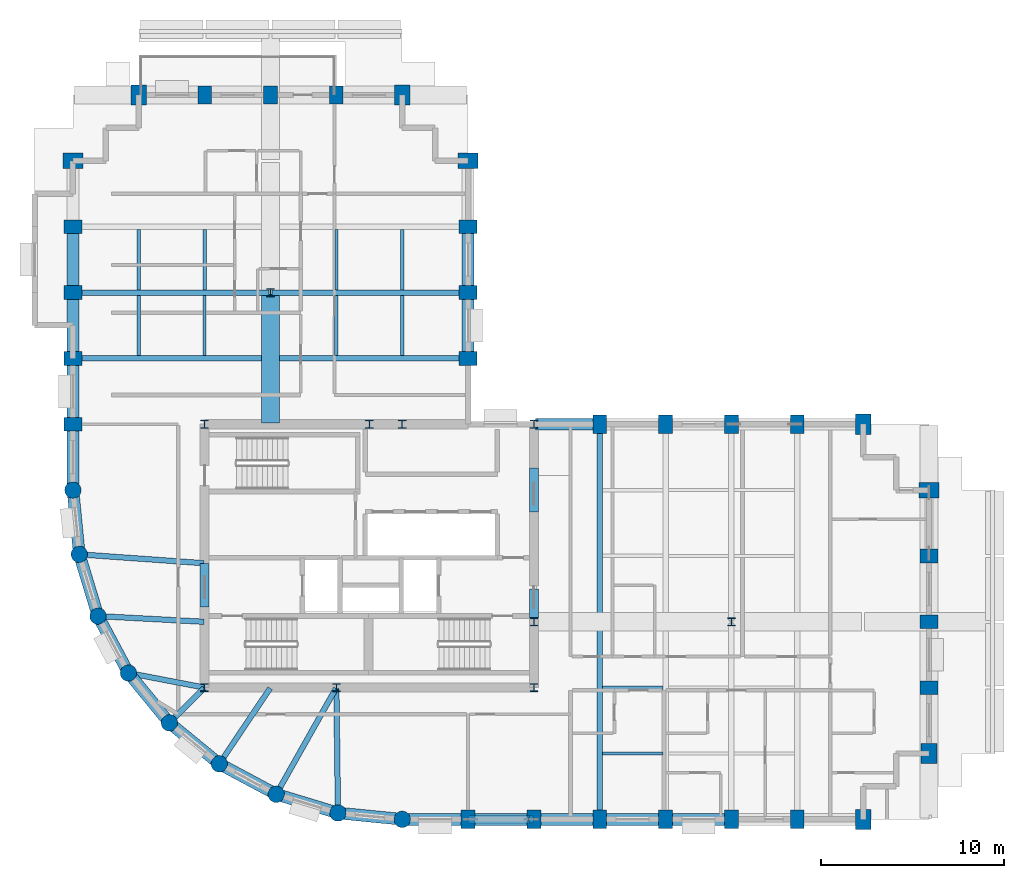
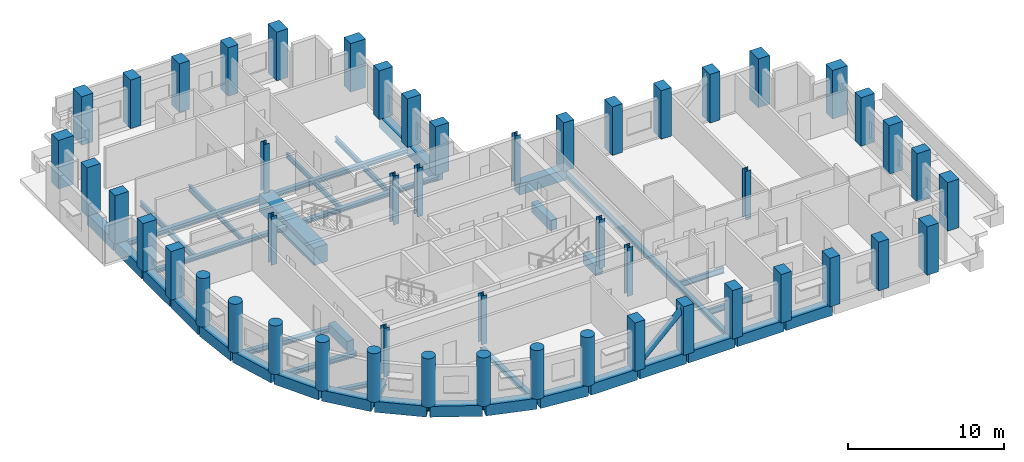
# One storey, part 1 of 10: 50 columns, 45 beams, 1 member.
"""IFC4 building model written with IfcOpenShell, lengths in metres."""

from ifc_helpers import new_model, si_unit, direction, frame, origin, origin_2d, place, context, subcontext, project, spatial, rectangle, circle, hollow_circle, i_section, extrude, material, material_profile, profile_set, type_object, element, save


model = new_model("IFC4")

# Units and contexts
model_context = context("Model", 3, precision=1e-05, world=origin(), true_north=direction((0.0, 1.0)))
body_context = subcontext(model_context, "Body", "Model", "MODEL_VIEW")
ifc_project = project(units=[si_unit("LENGTHUNIT", "METRE"), si_unit("AREAUNIT", "SQUARE_METRE"), si_unit("VOLUMEUNIT", "CUBIC_METRE"), si_unit("PLANEANGLEUNIT", "RADIAN"), si_unit("MASSUNIT", "GRAM", prefix="KILO")], contexts=[model_context])

# Site, building, storey
site_placement = place(None, origin())
site = spatial("IfcSite", under=ifc_project, at=site_placement, CompositionType="ELEMENT")
building_placement = place(site_placement, origin())
building = spatial("IfcBuilding", under=site, at=building_placement, Name="Solnavia Interchange Tower", CompositionType="ELEMENT")
storey_placement = place(building_placement, frame((0.0, 0.0, 127.60009765625)))
storey = spatial("IfcBuildingStorey", under=building, at=storey_placement, Name="L31", CompositionType="ELEMENT", Elevation=127.60009765625)

# Columns
ifc_material_1 = material(Name="Concrete C50/60", Category="concrete")
ifc_material_profile_1 = material_profile(ifc_material_1, rectangle(XDim=0.75, YDim=1.0, at=origin_2d()), Name="RC 1000x750")
ifc_profile_set_1 = profile_set([ifc_material_profile_1], Name="Concrete C50/60")
column_type_1 = type_object("IfcColumnType", Name="Col-RC-1000x750", PredefinedType="COLUMN", material=ifc_profile_set_1)
for number, where, z_axis, x_axis, name in (
    (1, (7.199951171875, 25.199951171875, 0.0), (0.0, 0.0, 1.0), (0.0, 1.0, 0.0), "COL-L31-02 Tower perim y column"),
    (2, (7.199951171875, 28.800048828125, 0.0), (0.0, 0.0, 1.0), (0.0, 1.0, 0.0), "COL-L31-03 Tower perim y column"),
    (3, (7.199951171875, 32.39990234375, 0.0), (0.0, 0.0, 1.0), (0.0, 1.0, 0.0), "COL-L31-04 Tower perim y column"),
    (4, (7.199951171875, 36.0, 0.0), (0.0, 0.0, 1.0), (0.0, 1.0, 0.0), "COL-L31-05 Tower perim y column"),
    (5, (14.39990234375, 43.199951171875, 0.0), (0.0, 0.0, 1.0), (1.0, 0.0, 0.0), "COL-L31-14 Tower perim x column"),
    (6, (18.0, 43.199951171875, 0.0), (0.0, 0.0, 1.0), (1.0, 0.0, 0.0), "COL-L31-17 Tower perim x column"),
    (7, (21.60009765625, 43.199951171875, 0.0), (0.0, 0.0, 1.0), (1.0, 0.0, 0.0), "COL-L31-20 Tower perim x column"),
    (8, (28.800048828125, 3.60009765625, 0.0), (0.0, 0.0, 1.0), (1.0, 0.0, 0.0), "COL-L31-26 Tower perim x column"),
    (9, (28.800048828125, 28.800048828125, 0.0), (0.0, 0.0, 1.0), (0.0, 1.0, 0.0), "COL-L31-27 Tower perim y column"),
    (10, (28.800048828125, 32.39990234375, 0.0), (0.0, 0.0, 1.0), (0.0, 1.0, 0.0), "COL-L31-28 Tower perim y column"),
    (11, (28.800048828125, 36.0, 0.0), (0.0, 0.0, 1.0), (0.0, 1.0, 0.0), "COL-L31-29 Tower perim y column"),
    (12, (32.39990234375, 3.60009765625, 0.0), (0.0, 0.0, 1.0), (1.0, 0.0, 0.0), "COL-L31-31 Tower perim x column"),
    (13, (36.0, 3.60009765625, 0.0), (0.0, 0.0, 1.0), (1.0, 0.0, 0.0), "COL-L31-35 Tower perim x column"),
    (14, (36.0, 25.199951171875, 0.0), (0.0, 0.0, 1.0), (1.0, 0.0, 0.0), "COL-L31-36 Tower perim x column"),
    (15, (39.60009765625, 3.60009765625, 0.0), (0.0, 0.0, 1.0), (1.0, 0.0, 0.0), "COL-L31-37 Tower perim x column"),
    (16, (39.60009765625, 25.199951171875, 0.0), (0.0, 0.0, 1.0), (1.0, 0.0, 0.0), "COL-L31-38 Tower perim x column"),
    (17, (43.199951171875, 3.60009765625, 0.0), (0.0, 0.0, 1.0), (1.0, 0.0, 0.0), "COL-L31-39 Tower perim x column"),
    (18, (43.199951171875, 25.199951171875, 0.0), (0.0, 0.0, 1.0), (1.0, 0.0, 0.0), "COL-L31-41 Tower perim x column"),
    (19, (46.800048828125, 3.60009765625, 0.0), (0.0, 0.0, 1.0), (1.0, 0.0, 0.0), "COL-L31-42 Tower perim x column"),
    (20, (46.800048828125, 25.199951171875, 0.0), (0.0, 0.0, 1.0), (1.0, 0.0, 0.0), "COL-L31-43 Tower perim x column"),
    (21, (54.0, 10.800048828125, 0.0), (0.0, 0.0, 1.0), (0.0, 1.0, 0.0), "COL-L31-47 Tower perim y column"),
    (22, (54.0, 14.39990234375, 0.0), (0.0, 0.0, 1.0), (0.0, 1.0, 0.0), "COL-L31-48 Tower perim y column"),
    (23, (54.0, 18.0, 0.0), (0.0, 0.0, 1.0), (0.0, 1.0, 0.0), "COL-L31-49 Tower perim y column"),
):
    element("IfcColumn", number, at=place(storey_placement, frame(where, z_axis=z_axis, x_axis=x_axis)), inside=storey, type_object=column_type_1, Name=name, PredefinedType="COLUMN", context=body_context, shape_type="SweptSolid", body=[
        extrude(rectangle(XDim=0.75, YDim=1.0, at=origin_2d()), origin(), (0.0, 0.0, 1.0), 3.7998046875),
    ])
ifc_material_profile_2 = material_profile(ifc_material_1, rectangle(XDim=0.85009765625, YDim=1.10009765625, at=origin_2d()), Name="RC 1100x850")
ifc_profile_set_2 = profile_set([ifc_material_profile_2], Name="Concrete C50/60")
column_type_2 = type_object("IfcColumnType", Name="Col-RC-1100x850", PredefinedType="COLUMN", material=ifc_profile_set_2)
for number, where, z_axis, x_axis, name in (
    (24, (7.199951171875, 39.60009765625, 0.0), (0.0, 0.0, 1.0), (0.0, 1.0, 0.0), "COL-L31-06 Tower corner column"),
    (25, (10.800048828125, 43.199951171875, 0.0), (0.0, 0.0, 1.0), (1.0, 0.0, 0.0), "COL-L31-10 Tower corner column"),
    (26, (25.199951171875, 43.199951171875, 0.0), (0.0, 0.0, 1.0), (1.0, 0.0, 0.0), "COL-L31-25 Tower corner column"),
    (27, (28.800048828125, 39.60009765625, 0.0), (0.0, 0.0, 1.0), (0.0, 1.0, 0.0), "COL-L31-30 Tower corner column"),
    (28, (50.39990234375, 3.60009765625, 0.0), (0.0, 0.0, 1.0), (1.0, 0.0, 0.0), "COL-L31-44 Tower corner column"),
    (29, (50.39990234375, 25.199951171875, 0.0), (0.0, 0.0, 1.0), (1.0, 0.0, 0.0), "COL-L31-45 Tower corner column"),
    (30, (54.0, 7.199951171875, 0.0), (0.0, 0.0, 1.0), (1.0, 0.0, 0.0), "COL-L31-46 Tower corner column"),
    (31, (54.0, 21.60009765625, 0.0), (0.0, 0.0, 1.0), (0.0, 1.0, 0.0), "COL-L31-50 Tower corner column"),
):
    element("IfcColumn", number, at=place(storey_placement, frame(where, z_axis=z_axis, x_axis=x_axis)), inside=storey, type_object=column_type_2, Name=name, PredefinedType="COLUMN", context=body_context, shape_type="SweptSolid", body=[
        extrude(rectangle(XDim=0.85009765625, YDim=1.10009765625, at=origin_2d()), origin(), (0.0, 0.0, 1.0), 3.7998046875),
    ])
ifc_material_profile_3 = material_profile(ifc_material_1, circle(Radius=0.449951171875, at=origin_2d()), Name="RC D900")
ifc_profile_set_3 = profile_set([ifc_material_profile_3], Name="Concrete C50/60")
column_type_3 = type_object("IfcColumnType", Name="Col-RC-D900", PredefinedType="COLUMN", material=ifc_profile_set_3)
for number, where, z_axis, x_axis, name in (
    (32, (7.199951171875, 21.60009765625, 0.0), (0.0, 0.0, 1.0), (1.0, 0.0, 0.0), "COL-L31-01 Tower drum column"),
    (33, (7.5458984375, 18.087890625, 0.0), (0.0, 0.0, 1.0), (1.0, 0.0, 0.0), "COL-L31-07 Tower drum column"),
    (34, (8.570068359375, 14.7119140625, 0.0), (0.0, 0.0, 1.0), (1.0, 0.0, 0.0), "COL-L31-08 Tower drum column"),
    (35, (10.23388671875, 11.60009765625, 0.0), (0.0, 0.0, 1.0), (1.0, 0.0, 0.0), "COL-L31-09 Tower drum column"),
    (36, (12.471923828125, 8.8720703125, 0.0), (0.0, 0.0, 1.0), (1.0, 0.0, 0.0), "COL-L31-11 Tower drum column"),
    (37, (15.199951171875, 6.634033203125, 0.0), (0.0, 0.0, 1.0), (1.0, 0.0, 0.0), "COL-L31-15 Tower drum column"),
    (38, (18.31201171875, 4.969970703125, 0.0), (0.0, 0.0, 1.0), (1.0, 0.0, 0.0), "COL-L31-18 Tower drum column"),
    (39, (21.68798828125, 3.946044921875, 0.0), (0.0, 0.0, 1.0), (1.0, 0.0, 0.0), "COL-L31-21 Tower drum column"),
    (40, (25.199951171875, 3.60009765625, 0.0), (0.0, 0.0, 1.0), (1.0, 0.0, 0.0), "COL-L31-23 Tower drum column"),
):
    element("IfcColumn", number, at=place(storey_placement, frame(where, z_axis=z_axis, x_axis=x_axis)), inside=storey, type_object=column_type_3, Name=name, PredefinedType="COLUMN", context=body_context, shape_type="SweptSolid", body=[
        extrude(circle(Radius=0.449951171875, at=origin_2d()), origin(), (0.0, 0.0, 1.0), 3.7998046875),
    ])
ifc_material_2 = material(Name="Steel S355", Category="steel")
ifc_material_profile_4 = material_profile(ifc_material_2, i_section(OverallWidth=0.416015625, OverallDepth=0.44189453125, WebThickness=0.02490234375, FlangeThickness=0.041015625, FilletRadius=0.014892578125, at=origin_2d()), Name="HD 400x382")
ifc_profile_set_4 = profile_set([ifc_material_profile_4], Name="Steel S355")
column_type_4 = type_object("IfcColumnType", Name="Col-Steel-HD400x382", PredefinedType="COLUMN", material=ifc_profile_set_4)
for number, where, z_axis, x_axis, name in (
    (41, (14.39990234375, 10.800048828125, 0.0), (0.0, 0.0, 1.0), (1.0, 0.0, 0.0), "COL-L31-12 Tower interior column"),
    (42, (14.39990234375, 25.199951171875, 0.0), (0.0, 0.0, 1.0), (1.0, 0.0, 0.0), "COL-L31-13 Tower interior column"),
    (43, (18.0, 32.39990234375, 0.0), (0.0, 0.0, 1.0), (1.0, 0.0, 0.0), "COL-L31-16 Tower interior column"),
    (44, (21.60009765625, 10.800048828125, 0.0), (0.0, 0.0, 1.0), (1.0, 0.0, 0.0), "COL-L31-19 Tower interior column"),
    (45, (23.39990234375, 25.199951171875, 0.0), (0.0, 0.0, 1.0), (1.0, 0.0, 0.0), "COL-L31-22 Tower interior column"),
    (46, (25.199951171875, 25.199951171875, 0.0), (0.0, 0.0, 1.0), (1.0, 0.0, 0.0), "COL-L31-24 Tower interior column"),
    (47, (32.39990234375, 10.800048828125, 0.0), (0.0, 0.0, 1.0), (1.0, 0.0, 0.0), "COL-L31-32 Tower interior column"),
    (48, (32.39990234375, 14.39990234375, 0.0), (0.0, 0.0, 1.0), (1.0, 0.0, 0.0), "COL-L31-33 Tower interior column"),
    (49, (32.39990234375, 25.199951171875, 0.0), (0.0, 0.0, 1.0), (1.0, 0.0, 0.0), "COL-L31-34 Tower interior column"),
    (50, (43.199951171875, 14.39990234375, 0.0), (0.0, 0.0, 1.0), (1.0, 0.0, 0.0), "COL-L31-40 Tower interior column"),
):
    element("IfcColumn", number, at=place(storey_placement, frame(where, z_axis=z_axis, x_axis=x_axis)), inside=storey, type_object=column_type_4, Name=name, PredefinedType="COLUMN", context=body_context, shape_type="SweptSolid", body=[
        extrude(i_section(OverallWidth=0.416015625, OverallDepth=0.44189453125, WebThickness=0.02490234375, FlangeThickness=0.041015625, FilletRadius=0.014892578125, at=origin_2d()), origin(), (0.0, 0.0, 1.0), 3.7998046875),
    ])

# Beams
ifc_material_profile_5 = material_profile(ifc_material_1, rectangle(XDim=0.5, YDim=0.800048828125, at=origin_2d()), Name="RC 500x800")
ifc_profile_set_5 = profile_set([ifc_material_profile_5], Name="Concrete C50/60")
beam_type_1 = type_object("IfcBeamType", Name="Beam-Coupling-RC500x800", PredefinedType="LINTEL", material=ifc_profile_set_5)
beam_1_placement = place(storey_placement, frame((14.39990234375, 15.199951171875, -0.400146484375), z_axis=(0.0, 1.0, 0.0), x_axis=(-1.0, 0.0, 0.0)))
element("IfcBeam", 51, at=beam_1_placement, inside=storey, type_object=beam_type_1, Name="CPB-L31-W1 Core coupling lintel beam", PredefinedType="LINTEL", context=body_context, shape_type="SweptSolid", body=[
    extrude(rectangle(XDim=0.5, YDim=0.800048828125, at=origin_2d()), origin(), (0.0, 0.0, 1.0), 2.400146484375),
])
beam_2_placement = place(storey_placement, frame((32.39990234375, 14.60009765625, -0.400146484375), z_axis=(0.0, 1.0, 0.0), x_axis=(-1.0, 0.0, 0.0)))
element("IfcBeam", 52, at=beam_2_placement, inside=storey, type_object=beam_type_1, Name="CPB-L31-E1 Core coupling lintel beam", PredefinedType="LINTEL", context=body_context, shape_type="SweptSolid", body=[
    extrude(rectangle(XDim=0.5, YDim=0.800048828125, at=origin_2d()), origin(), (0.0, 0.0, 1.0), 1.599853515625),
])
beam_3_placement = place(storey_placement, frame((32.39990234375, 20.39990234375, -0.400146484375), z_axis=(0.0, 1.0, 0.0), x_axis=(-1.0, 0.0, 0.0)))
element("IfcBeam", 53, at=beam_3_placement, inside=storey, type_object=beam_type_1, Name="CPB-L31-E2 Core coupling lintel beam", PredefinedType="LINTEL", context=body_context, shape_type="SweptSolid", body=[
    extrude(rectangle(XDim=0.5, YDim=0.800048828125, at=origin_2d()), origin(), (0.0, 0.0, 1.0), 2.400146484375),
])
ifc_material_3 = material(Name="Steel S460", Category="steel")
ifc_material_profile_6 = material_profile(ifc_material_3, i_section(OverallWidth=0.300048828125, OverallDepth=0.360107421875, WebThickness=0.012451171875, FlangeThickness=0.0224609375, FilletRadius=0.027099609375, at=origin_2d()), Name="HEB 360")
ifc_profile_set_6 = profile_set([ifc_material_profile_6], Name="Steel S460")
beam_type_2 = type_object("IfcBeamType", Name="Beam-Girder-HEB360", PredefinedType="BEAM", material=ifc_profile_set_6)
beam_4_placement = place(storey_placement, frame((36.0, 3.679931640625, -0.5), z_axis=(0.0, 1.0, 0.0), x_axis=(-1.0, 0.0, 0.0)))
element("IfcBeam", 54, at=beam_4_placement, inside=storey, type_object=beam_type_2, Name="GRD-L31-EW01 East wing primary floor girder", PredefinedType="BEAM", context=body_context, shape_type="SweptSolid", body=[
    extrude(i_section(OverallWidth=0.300048828125, OverallDepth=0.360107421875, WebThickness=0.012451171875, FlangeThickness=0.0224609375, FilletRadius=0.027099609375, at=origin_2d()), origin(), (0.0, 0.0, 1.0), 21.440185546875),
])
for number, where, z_axis, x_axis, name in (
    (55, (7.280029296875, 32.39990234375, -0.5), (1.0, 0.0, 0.0), (0.0, 1.0, 0.0), "GRD-L31-NW07 North wing primary floor girder"),
    (56, (18.080078125, 32.39990234375, -0.5), (1.0, 0.0, 0.0), (0.0, 1.0, 0.0), "GRD-L31-NW08 North wing primary floor girder"),
):
    element("IfcBeam", number, at=place(storey_placement, frame(where, z_axis=z_axis, x_axis=x_axis)), inside=storey, type_object=beam_type_2, Name=name, PredefinedType="BEAM", context=body_context, shape_type="SweptSolid", body=[
        extrude(i_section(OverallWidth=0.300048828125, OverallDepth=0.360107421875, WebThickness=0.012451171875, FlangeThickness=0.0224609375, FilletRadius=0.027099609375, at=origin_2d()), origin(), (0.0, 0.0, 1.0), 10.639892578125),
    ])
beam_5_placement = place(storey_placement, frame((7.625732421875, 18.082275390625, -0.5), z_axis=(0.99747482749, -0.071020902015, 0.0), x_axis=(0.071020902015, 0.99747482749, 0.0)))
element("IfcBeam", 57, at=beam_5_placement, inside=storey, type_object=beam_type_2, Name="GRD-L31-DR10 Drum radial floor girder", PredefinedType="BEAM", context=body_context, shape_type="SweptSolid", body=[
    extrude(i_section(OverallWidth=0.300048828125, OverallDepth=0.360107421875, WebThickness=0.012451171875, FlangeThickness=0.0224609375, FilletRadius=0.027099609375, at=origin_2d()), origin(), (0.0, 0.0, 1.0), 6.75146484375),
])
beam_6_placement = place(storey_placement, frame((12.528564453125, 8.9287109375, -0.5), z_axis=(0.707106781187, 0.707106781187, 0.0), x_axis=(-0.707106781187, 0.707106781187, 0.0)))
element("IfcBeam", 58, at=beam_6_placement, inside=storey, type_object=beam_type_2, Name="GRD-L31-DR13 Drum radial floor girder", PredefinedType="BEAM", context=body_context, shape_type="SweptSolid", body=[
    extrude(i_section(OverallWidth=0.300048828125, OverallDepth=0.360107421875, WebThickness=0.012451171875, FlangeThickness=0.0224609375, FilletRadius=0.027099609375, at=origin_2d()), origin(), (0.0, 0.0, 1.0), 2.6064453125),
])
beam_7_placement = place(storey_placement, frame((21.68701171875, 4.02587890625, -0.5), z_axis=(-0.01283293513, 0.999917654498, 0.0), x_axis=(-0.999917654498, -0.01283293513, 0.0)))
element("IfcBeam", 59, at=beam_7_placement, inside=storey, type_object=beam_type_2, Name="GRD-L31-DR16 Drum radial floor girder", PredefinedType="BEAM", context=body_context, shape_type="SweptSolid", body=[
    extrude(i_section(OverallWidth=0.300048828125, OverallDepth=0.360107421875, WebThickness=0.012451171875, FlangeThickness=0.0224609375, FilletRadius=0.027099609375, at=origin_2d()), origin(), (0.0, 0.0, 1.0), 6.734619140625),
])
ifc_material_profile_7 = material_profile(ifc_material_2, i_section(OverallWidth=0.169921875, OverallDepth=0.360107421875, WebThickness=0.008056640625, FlangeThickness=0.0126953125, FilletRadius=0.01806640625, at=origin_2d()), Name="IPE 360")
ifc_profile_set_7 = profile_set([ifc_material_profile_7], Name="Steel S355")
beam_type_3 = type_object("IfcBeamType", Name="Beam-Joist-IPE360", PredefinedType="JOIST", material=ifc_profile_set_7)
for number, where, z_axis, x_axis, name in (
    (60, (14.39990234375, 28.949951171875, -0.5), (0.0, 1.0, 0.0), (-1.0, 0.0, 0.0), "JST-L31-N15 North wing secondary joist"),
    (61, (21.60009765625, 32.550048828125, -0.5), (0.0, 1.0, 0.0), (-1.0, 0.0, 0.0), "JST-L31-N18 North wing secondary joist"),
):
    element("IfcBeam", number, at=place(storey_placement, frame(where, z_axis=z_axis, x_axis=x_axis)), inside=storey, type_object=beam_type_3, Name=name, PredefinedType="JOIST", context=body_context, shape_type="SweptSolid", body=[
        extrude(i_section(OverallWidth=0.169921875, OverallDepth=0.360107421875, WebThickness=0.008056640625, FlangeThickness=0.0126953125, FilletRadius=0.01806640625, at=origin_2d()), origin(), (0.0, 0.0, 1.0), 3.300048828125),
    ])
ifc_material_profile_8 = material_profile(ifc_material_2, i_section(OverallWidth=0.179931640625, OverallDepth=0.39990234375, WebThickness=0.008544921875, FlangeThickness=0.013427734375, FilletRadius=0.02099609375, at=origin_2d()), Name="IPE 400")
ifc_profile_set_8 = profile_set([ifc_material_profile_8], Name="Steel S355")
beam_type_4 = type_object("IfcBeamType", Name="Beam-Joist-IPE400", PredefinedType="JOIST", material=ifc_profile_set_8)
for number, where, z_axis, x_axis, name in (
    (62, (10.800048828125, 32.550048828125, -0.52001953125), (0.0, 1.0, 0.0), (-1.0, 0.0, 0.0), "JST-L31-N14 North wing secondary joist"),
    (63, (21.60009765625, 28.949951171875, -0.52001953125), (0.0, 1.0, 0.0), (-1.0, 0.0, 0.0), "JST-L31-N17 North wing secondary joist"),
    (64, (25.199951171875, 32.550048828125, -0.52001953125), (0.0, 1.0, 0.0), (-1.0, 0.0, 0.0), "JST-L31-N20 North wing secondary joist"),
):
    element("IfcBeam", number, at=place(storey_placement, frame(where, z_axis=z_axis, x_axis=x_axis)), inside=storey, type_object=beam_type_4, Name=name, PredefinedType="JOIST", context=body_context, shape_type="SweptSolid", body=[
        extrude(i_section(OverallWidth=0.179931640625, OverallDepth=0.39990234375, WebThickness=0.008544921875, FlangeThickness=0.013427734375, FilletRadius=0.02099609375, at=origin_2d()), origin(), (0.0, 0.0, 1.0), 3.300048828125),
    ])
ifc_material_profile_9 = material_profile(ifc_material_2, i_section(OverallWidth=0.18994140625, OverallDepth=0.449951171875, WebThickness=0.009521484375, FlangeThickness=0.0146484375, FilletRadius=0.02099609375, at=origin_2d()), Name="IPE 450")
ifc_profile_set_9 = profile_set([ifc_material_profile_9], Name="Steel S355")
beam_type_5 = type_object("IfcBeamType", Name="Beam-Joist-IPE450", PredefinedType="JOIST", material=ifc_profile_set_9)
for number, where, z_axis, x_axis, name in (
    (65, (36.14990234375, 7.199951171875, -0.545166015625), (1.0, 0.0, 0.0), (0.0, 1.0, 0.0), "JST-L31-E01 East wing secondary joist"),
    (66, (36.14990234375, 10.800048828125, -0.545166015625), (1.0, 0.0, 0.0), (0.0, 1.0, 0.0), "JST-L31-E04 East wing secondary joist"),
    (67, (10.800048828125, 28.949951171875, -0.545166015625), (0.0, 1.0, 0.0), (-1.0, 0.0, 0.0), "JST-L31-N13 North wing secondary joist"),
    (68, (14.39990234375, 32.550048828125, -0.545166015625), (0.0, 1.0, 0.0), (-1.0, 0.0, 0.0), "JST-L31-N16 North wing secondary joist"),
    (69, (25.199951171875, 28.949951171875, -0.545166015625), (0.0, 1.0, 0.0), (-1.0, 0.0, 0.0), "JST-L31-N19 North wing secondary joist"),
):
    element("IfcBeam", number, at=place(storey_placement, frame(where, z_axis=z_axis, x_axis=x_axis)), inside=storey, type_object=beam_type_5, Name=name, PredefinedType="JOIST", context=body_context, shape_type="SweptSolid", body=[
        extrude(i_section(OverallWidth=0.18994140625, OverallDepth=0.449951171875, WebThickness=0.009521484375, FlangeThickness=0.0146484375, FilletRadius=0.02099609375, at=origin_2d()), origin(), (0.0, 0.0, 1.0), 3.300048828125),
    ])
ifc_material_profile_10 = material_profile(ifc_material_2, i_section(OverallWidth=0.300048828125, OverallDepth=0.31005859375, WebThickness=0.009033203125, FlangeThickness=0.015380859375, FilletRadius=0.027099609375, at=origin_2d()), Name="HEA 320")
ifc_profile_set_10 = profile_set([ifc_material_profile_10], Name="Steel S355")
beam_type_6 = type_object("IfcBeamType", Name="Beam-Primary-HEA320", PredefinedType="BEAM", material=ifc_profile_set_10)
beam_8_placement = place(storey_placement, frame((7.280029296875, 28.800048828125, -0.47509765625), z_axis=(1.0, 0.0, 0.0), x_axis=(0.0, 1.0, 0.0)))
element("IfcBeam", 70, at=beam_8_placement, inside=storey, type_object=beam_type_6, Name="GRD-L31-NW06 North wing primary floor girder", PredefinedType="BEAM", context=body_context, shape_type="SweptSolid", body=[
    extrude(i_section(OverallWidth=0.300048828125, OverallDepth=0.31005859375, WebThickness=0.009033203125, FlangeThickness=0.015380859375, FilletRadius=0.027099609375, at=origin_2d()), origin(), (0.0, 0.0, 1.0), 21.43994140625),
])
beam_9_placement = place(storey_placement, frame((10.3125, 11.5849609375, -0.47509765625), z_axis=(0.982057527796, -0.188581579428, 0.0), x_axis=(0.188581579428, 0.982057527796, 0.0)))
element("IfcBeam", 71, at=beam_9_placement, inside=storey, type_object=beam_type_6, Name="GRD-L31-DR12 Drum radial floor girder", PredefinedType="BEAM", context=body_context, shape_type="SweptSolid", body=[
    extrude(i_section(OverallWidth=0.300048828125, OverallDepth=0.31005859375, WebThickness=0.009033203125, FlangeThickness=0.015380859375, FilletRadius=0.027099609375, at=origin_2d()), origin(), (0.0, 0.0, 1.0), 4.1220703125),
])
beam_10_placement = place(storey_placement, frame((18.351318359375, 5.039794921875, -0.47509765625), z_axis=(0.491243158486, 0.871022479182, 0.0), x_axis=(-0.871022479182, 0.491243158486, 0.0)))
element("IfcBeam", 72, at=beam_10_placement, inside=storey, type_object=beam_type_6, Name="GRD-L31-DR15 Drum radial floor girder", PredefinedType="BEAM", context=body_context, shape_type="SweptSolid", body=[
    extrude(i_section(OverallWidth=0.300048828125, OverallDepth=0.31005859375, WebThickness=0.009033203125, FlangeThickness=0.015380859375, FilletRadius=0.027099609375, at=origin_2d()), origin(), (0.0, 0.0, 1.0), 6.5732421875),
])
ifc_material_profile_11 = material_profile(ifc_material_2, i_section(OverallWidth=0.300048828125, OverallDepth=0.35009765625, WebThickness=0.010009765625, FlangeThickness=0.017578125, FilletRadius=0.027099609375, at=origin_2d()), Name="HEA 360")
ifc_profile_set_11 = profile_set([ifc_material_profile_11], Name="Steel S355")
beam_type_7 = type_object("IfcBeamType", Name="Beam-Primary-HEA360", PredefinedType="BEAM", material=ifc_profile_set_11)
beam_11_placement = place(storey_placement, frame((8.64990234375, 14.707763671875, -0.4951171875), z_axis=(0.998570371303, -0.053452909696, 0.0), x_axis=(0.053452909696, 0.998570371303, 0.0)))
element("IfcBeam", 73, at=beam_11_placement, inside=storey, type_object=beam_type_7, Name="GRD-L31-DR11 Drum radial floor girder", PredefinedType="BEAM", context=body_context, shape_type="SweptSolid", body=[
    extrude(i_section(OverallWidth=0.300048828125, OverallDepth=0.35009765625, WebThickness=0.010009765625, FlangeThickness=0.017578125, FilletRadius=0.027099609375, at=origin_2d()), origin(), (0.0, 0.0, 1.0), 5.71826171875),
])
beam_12_placement = place(storey_placement, frame((15.24462890625, 6.700439453125, -0.4951171875), z_axis=(0.557835474219, 0.829951555033, 0.0), x_axis=(-0.829951555033, 0.557835474219, 0.0)))
element("IfcBeam", 74, at=beam_12_placement, inside=storey, type_object=beam_type_7, Name="GRD-L31-DR14 Drum radial floor girder", PredefinedType="BEAM", context=body_context, shape_type="SweptSolid", body=[
    extrude(i_section(OverallWidth=0.300048828125, OverallDepth=0.35009765625, WebThickness=0.010009765625, FlangeThickness=0.017578125, FilletRadius=0.027099609375, at=origin_2d()), origin(), (0.0, 0.0, 1.0), 4.899658203125),
])
ifc_material_profile_12 = material_profile(ifc_material_1, rectangle(XDim=0.64990234375, YDim=0.85009765625, at=origin_2d()), Name="RC 650x850")
ifc_profile_set_12 = profile_set([ifc_material_profile_12], Name="Concrete C50/60")
beam_type_8 = type_object("IfcBeamType", Name="Beam-Spandrel-RC650x850", PredefinedType="SPANDREL", material=ifc_profile_set_12)
beam_13_placement = place(storey_placement, frame((7.207763671875, 21.5205078125, -0.425048828125), z_axis=(0.098040038117, -0.995182471171, 0.0), x_axis=(0.995182471171, 0.098040038117, 0.0)))
element("IfcBeam", 75, at=beam_13_placement, inside=storey, type_object=beam_type_8, Name="SPB-L31-01 Framed-tube perimeter spandrel beam", PredefinedType="SPANDREL", context=body_context, shape_type="SweptSolid", body=[
    extrude(rectangle(XDim=0.64990234375, YDim=0.85009765625, at=origin_2d()), origin(), (0.0, 0.0, 1.0), 3.369140625),
])
beam_14_placement = place(storey_placement, frame((7.569091796875, 18.011474609375, -0.425048828125), z_axis=(0.290319223646, -0.956929855518, 0.0), x_axis=(0.956929855518, 0.290319223646, 0.0)))
element("IfcBeam", 76, at=beam_14_placement, inside=storey, type_object=beam_type_8, Name="SPB-L31-02 Framed-tube perimeter spandrel beam", PredefinedType="SPANDREL", context=body_context, shape_type="SweptSolid", body=[
    extrude(rectangle(XDim=0.64990234375, YDim=0.85009765625, at=origin_2d()), origin(), (0.0, 0.0, 1.0), 3.367919921875),
])
beam_15_placement = place(storey_placement, frame((8.607666015625, 14.6416015625, -0.425048828125), z_axis=(0.471509422952, -0.881861023102, 0.0), x_axis=(0.881861023102, 0.471509422952, 0.0)))
element("IfcBeam", 77, at=beam_15_placement, inside=storey, type_object=beam_type_8, Name="SPB-L31-03 Framed-tube perimeter spandrel beam", PredefinedType="SPANDREL", context=body_context, shape_type="SweptSolid", body=[
    extrude(rectangle(XDim=0.64990234375, YDim=0.85009765625, at=origin_2d()), origin(), (0.0, 0.0, 1.0), 3.369140625),
])
for number, where, z_axis, x_axis, name in (
    (78, (10.28466796875, 11.5380859375, -0.425048828125), (0.634298841675, -0.773087950656, 0.0), (0.773087950656, 0.634298841675, 0.0), "SPB-L31-04 Framed-tube perimeter spandrel beam"),
    (79, (12.53369140625, 8.8212890625, -0.425048828125), (0.773152644452, -0.634219984214, 0.0), (0.634219984214, 0.773152644452, 0.0), "SPB-L31-05 Framed-tube perimeter spandrel beam"),
):
    element("IfcBeam", number, at=place(storey_placement, frame(where, z_axis=z_axis, x_axis=x_axis)), inside=storey, type_object=beam_type_8, Name=name, PredefinedType="SPANDREL", context=body_context, shape_type="SweptSolid", body=[
        extrude(rectangle(XDim=0.64990234375, YDim=0.85009765625, at=origin_2d()), origin(), (0.0, 0.0, 1.0), 3.36865234375),
    ])
beam_16_placement = place(storey_placement, frame((15.2705078125, 6.59619140625, -0.425048828125), z_axis=(0.881875044348, -0.47148319817, 0.0), x_axis=(0.47148319817, 0.881875044348, 0.0)))
element("IfcBeam", 80, at=beam_16_placement, inside=storey, type_object=beam_type_8, Name="SPB-L31-06 Framed-tube perimeter spandrel beam", PredefinedType="SPANDREL", context=body_context, shape_type="SweptSolid", body=[
    extrude(rectangle(XDim=0.64990234375, YDim=0.85009765625, at=origin_2d()), origin(), (0.0, 0.0, 1.0), 3.368896484375),
])
beam_17_placement = place(storey_placement, frame((18.388671875, 4.94677734375, -0.425048828125), z_axis=(0.956943884494, -0.290272978297, 0.0), x_axis=(0.290272978297, 0.956943884494, 0.0)))
element("IfcBeam", 81, at=beam_17_placement, inside=storey, type_object=beam_type_8, Name="SPB-L31-07 Framed-tube perimeter spandrel beam", PredefinedType="SPANDREL", context=body_context, shape_type="SweptSolid", body=[
    extrude(rectangle(XDim=0.64990234375, YDim=0.85009765625, at=origin_2d()), origin(), (0.0, 0.0, 1.0), 3.36767578125),
])
beam_18_placement = place(storey_placement, frame((21.767578125, 3.938232421875, -0.425048828125), z_axis=(0.995181774609, -0.098047108501, 0.0), x_axis=(0.098047108501, 0.995181774609, 0.0)))
element("IfcBeam", 82, at=beam_18_placement, inside=storey, type_object=beam_type_8, Name="SPB-L31-08 Framed-tube perimeter spandrel beam", PredefinedType="SPANDREL", context=body_context, shape_type="SweptSolid", body=[
    extrude(rectangle(XDim=0.64990234375, YDim=0.85009765625, at=origin_2d()), origin(), (0.0, 0.0, 1.0), 3.368896484375),
])
beam_19_placement = place(storey_placement, frame((25.280029296875, 3.60009765625, -0.425048828125), z_axis=(1.0, 0.0, 0.0), x_axis=(0.0, 1.0, 0.0)))
element("IfcBeam", 83, at=beam_19_placement, inside=storey, type_object=beam_type_8, Name="SPB-L31-09 Framed-tube perimeter spandrel beam", PredefinedType="SPANDREL", context=body_context, shape_type="SweptSolid", body=[
    extrude(rectangle(XDim=0.64990234375, YDim=0.85009765625, at=origin_2d()), origin(), (0.0, 0.0, 1.0), 3.43994140625),
])
beam_20_placement = place(storey_placement, frame((28.8798828125, 3.60009765625, -0.425048828125), z_axis=(1.0, 0.0, 0.0), x_axis=(0.0, 1.0, 0.0)))
element("IfcBeam", 84, at=beam_20_placement, inside=storey, type_object=beam_type_8, Name="SPB-L31-10 Framed-tube perimeter spandrel beam", PredefinedType="SPANDREL", context=body_context, shape_type="SweptSolid", body=[
    extrude(rectangle(XDim=0.64990234375, YDim=0.85009765625, at=origin_2d()), origin(), (0.0, 0.0, 1.0), 3.440185546875),
])
for number, where, z_axis, x_axis, name in (
    (85, (32.47998046875, 3.60009765625, -0.425048828125), (1.0, 0.0, 0.0), (0.0, 1.0, 0.0), "SPB-L31-11 Framed-tube perimeter spandrel beam"),
    (86, (36.080078125, 3.60009765625, -0.425048828125), (1.0, 0.0, 0.0), (0.0, 1.0, 0.0), "SPB-L31-12 Framed-tube perimeter spandrel beam"),
):
    element("IfcBeam", number, at=place(storey_placement, frame(where, z_axis=z_axis, x_axis=x_axis)), inside=storey, type_object=beam_type_8, Name=name, PredefinedType="SPANDREL", context=body_context, shape_type="SweptSolid", body=[
        extrude(rectangle(XDim=0.64990234375, YDim=0.85009765625, at=origin_2d()), origin(), (0.0, 0.0, 1.0), 3.43994140625),
    ])
beam_21_placement = place(storey_placement, frame((39.679931640625, 3.60009765625, -0.425048828125), z_axis=(1.0, 0.0, 0.0), x_axis=(0.0, 1.0, 0.0)))
element("IfcBeam", 87, at=beam_21_placement, inside=storey, type_object=beam_type_8, Name="SPB-L31-13 Framed-tube perimeter spandrel beam", PredefinedType="SPANDREL", context=body_context, shape_type="SweptSolid", body=[
    extrude(rectangle(XDim=0.64990234375, YDim=0.85009765625, at=origin_2d()), origin(), (0.0, 0.0, 1.0), 3.440185546875),
])
beam_22_placement = place(storey_placement, frame((35.919921875, 25.199951171875, -0.425048828125), z_axis=(-1.0, 0.0, 0.0), x_axis=(0.0, -1.0, 0.0)))
element("IfcBeam", 88, at=beam_22_placement, inside=storey, type_object=beam_type_8, Name="SPB-L31-20 Framed-tube perimeter spandrel beam", PredefinedType="SPANDREL", context=body_context, shape_type="SweptSolid", body=[
    extrude(rectangle(XDim=0.64990234375, YDim=0.85009765625, at=origin_2d()), origin(), (0.0, 0.0, 1.0), 3.43994140625),
])
beam_23_placement = place(storey_placement, frame((28.800048828125, 28.8798828125, -0.425048828125), z_axis=(0.0, 1.0, 0.0), x_axis=(-1.0, 0.0, 0.0)))
element("IfcBeam", 89, at=beam_23_placement, inside=storey, type_object=beam_type_8, Name="SPB-L31-21 Framed-tube perimeter spandrel beam", PredefinedType="SPANDREL", context=body_context, shape_type="SweptSolid", body=[
    extrude(rectangle(XDim=0.64990234375, YDim=0.85009765625, at=origin_2d()), origin(), (0.0, 0.0, 1.0), 3.440185546875),
])
for number, where, z_axis, x_axis, name in (
    (90, (28.800048828125, 32.47998046875, -0.425048828125), (0.0, 1.0, 0.0), (-1.0, 0.0, 0.0), "SPB-L31-22 Framed-tube perimeter spandrel beam"),
    (91, (7.199951171875, 35.919921875, -0.425048828125), (0.0, -1.0, 0.0), (1.0, 0.0, 0.0), "SPB-L31-25 Framed-tube perimeter spandrel beam"),
):
    element("IfcBeam", number, at=place(storey_placement, frame(where, z_axis=z_axis, x_axis=x_axis)), inside=storey, type_object=beam_type_8, Name=name, PredefinedType="SPANDREL", context=body_context, shape_type="SweptSolid", body=[
        extrude(rectangle(XDim=0.64990234375, YDim=0.85009765625, at=origin_2d()), origin(), (0.0, 0.0, 1.0), 3.43994140625),
    ])
beam_24_placement = place(storey_placement, frame((7.199951171875, 32.320068359375, -0.425048828125), z_axis=(0.0, -1.0, 0.0), x_axis=(1.0, 0.0, 0.0)))
element("IfcBeam", 92, at=beam_24_placement, inside=storey, type_object=beam_type_8, Name="SPB-L31-26 Framed-tube perimeter spandrel beam", PredefinedType="SPANDREL", context=body_context, shape_type="SweptSolid", body=[
    extrude(rectangle(XDim=0.64990234375, YDim=0.85009765625, at=origin_2d()), origin(), (0.0, 0.0, 1.0), 3.440185546875),
])
beam_25_placement = place(storey_placement, frame((7.199951171875, 28.719970703125, -0.425048828125), z_axis=(0.0, -1.0, 0.0), x_axis=(1.0, 0.0, 0.0)))
element("IfcBeam", 93, at=beam_25_placement, inside=storey, type_object=beam_type_8, Name="SPB-L31-27 Framed-tube perimeter spandrel beam", PredefinedType="SPANDREL", context=body_context, shape_type="SweptSolid", body=[
    extrude(rectangle(XDim=0.64990234375, YDim=0.85009765625, at=origin_2d()), origin(), (0.0, 0.0, 1.0), 3.43994140625),
])
beam_26_placement = place(storey_placement, frame((7.199951171875, 25.1201171875, -0.425048828125), z_axis=(0.0, -1.0, 0.0), x_axis=(1.0, 0.0, 0.0)))
element("IfcBeam", 94, at=beam_26_placement, inside=storey, type_object=beam_type_8, Name="SPB-L31-28 Framed-tube perimeter spandrel beam", PredefinedType="SPANDREL", context=body_context, shape_type="SweptSolid", body=[
    extrude(rectangle(XDim=0.64990234375, YDim=0.85009765625, at=origin_2d()), origin(), (0.0, 0.0, 1.0), 3.440185546875),
])
ifc_material_4 = material(Name="Concrete C60/75", Category="concrete")
ifc_material_profile_13 = material_profile(ifc_material_4, rectangle(XDim=1.0, YDim=1.35009765625, at=origin_2d()), Name="RC 1000x1350")
ifc_profile_set_13 = profile_set([ifc_material_profile_13], Name="Concrete C60/75")
beam_type_9 = type_object("IfcBeamType", Name="Beam-Transfer-RC1000x1350", PredefinedType="BEAM", material=ifc_profile_set_13)
beam_27_placement = place(storey_placement, frame((18.0, 25.280029296875, -0.675048828125), z_axis=(0.0, 1.0, 0.0), x_axis=(-1.0, 0.0, 0.0)))
element("IfcBeam", 95, at=beam_27_placement, inside=storey, type_object=beam_type_9, Name="TRB-L31-10 North setback spine transfer girder", PredefinedType="BEAM", context=body_context, shape_type="SweptSolid", body=[
    extrude(rectangle(XDim=1.0, YDim=1.35009765625, at=origin_2d()), origin(), (0.0, 0.0, 1.0), 7.0400390625),
])

# Member
ifc_material_profile_14 = material_profile(ifc_material_3, hollow_circle(Radius=0.228515625, WallThickness=0.02001953125, at=origin_2d()), Name="CHS 457x20")
ifc_profile_set_14 = profile_set([ifc_material_profile_14], Name="Steel S460")
member_type = type_object("IfcMemberType", Name="Brace-Perim-CHS457", PredefinedType="BRACE", material=ifc_profile_set_14)
member_placement = place(storey_placement, frame((28.93994140625, 3.60009765625, 0.179931640625), z_axis=(0.721096918576, 0.0, 0.692834203847), x_axis=(0.0, 1.0, 0.0)))
element("IfcMember", 96, at=member_placement, inside=storey, type_object=member_type, Name="BRC-L31-01 Perimeter tube diagonal brace", PredefinedType="BRACE", context=body_context, shape_type="SweptSolid", body=[
    extrude(hollow_circle(Radius=0.228515625, WallThickness=0.02001953125, at=origin_2d()), origin(), (0.0, 0.0, 1.0), 4.604248046875),
])

save(model, "model.ifc")
